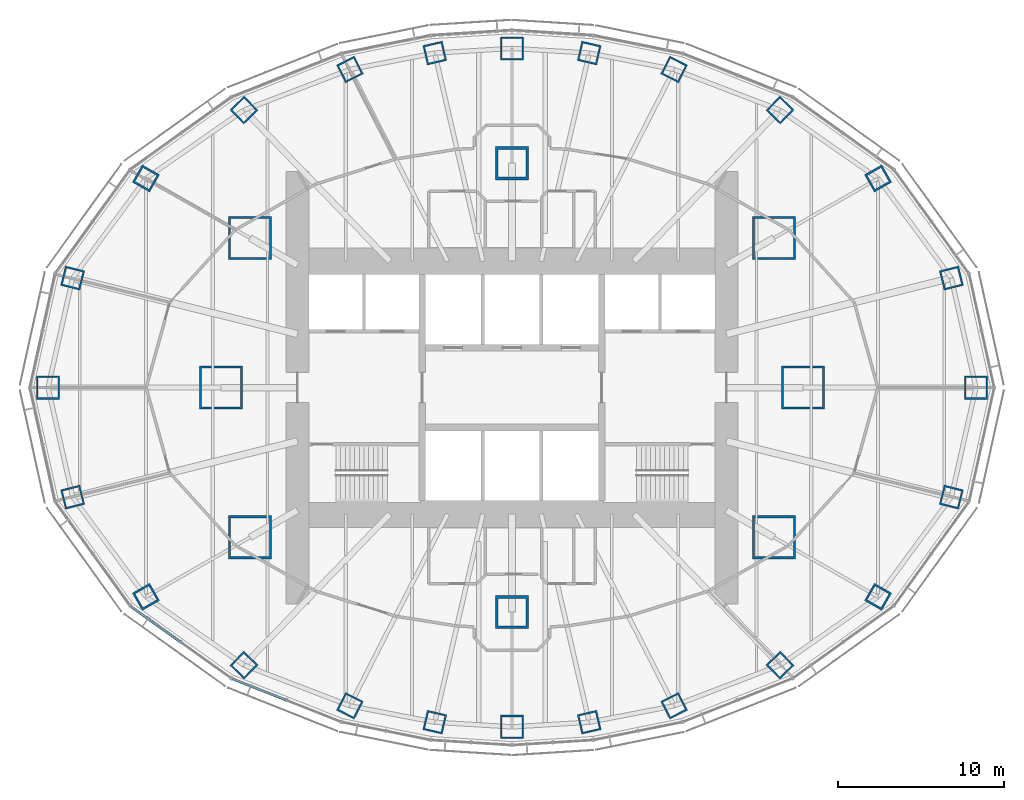
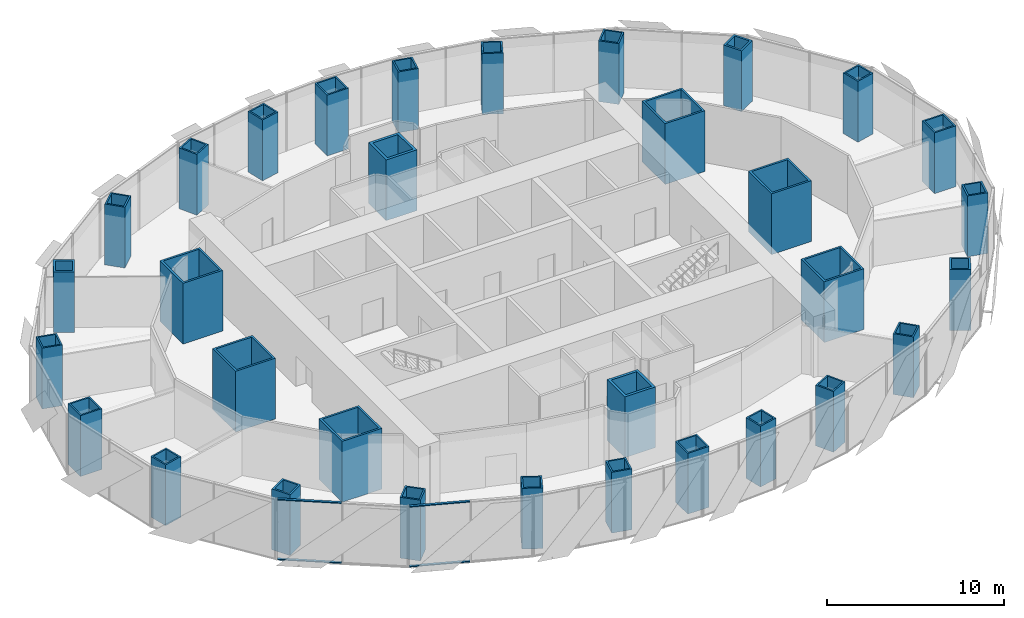
# One storey, part 1 of 17: 32 columns, 4 members, 2 elements without a shape of their own.
"""IFC4 building model written with IfcOpenShell, lengths in metres."""

from ifc_helpers import new_model, si_unit, direction, frame, origin, origin_2d, place, context, subcontext, project, spatial, rectangle, hollow_rectangle, extrude, material, material_profile, profile_set, type_object, element, aggregate, save


model = new_model("IFC4")

# Units and contexts
model_context = context("Model", 3, precision=1e-05, world=origin(), true_north=direction((0.0, 1.0)))
body_context = subcontext(model_context, "Body", "Model", "MODEL_VIEW")
ifc_project = project(units=[si_unit("LENGTHUNIT", "METRE"), si_unit("AREAUNIT", "SQUARE_METRE"), si_unit("VOLUMEUNIT", "CUBIC_METRE"), si_unit("PLANEANGLEUNIT", "RADIAN"), si_unit("MASSUNIT", "GRAM", prefix="KILO")], contexts=[model_context])

# Site, building, storey
site_placement = place(None, origin())
site = spatial("IfcSite", under=ifc_project, at=site_placement, CompositionType="ELEMENT")
building_placement = place(site_placement, origin())
building = spatial("IfcBuilding", under=site, at=building_placement, Name="Lantaw Convention Tower", CompositionType="ELEMENT")
storey_placement = place(building_placement, frame((0.0, 0.0, 121.60009765625)))
storey = spatial("IfcBuildingStorey", under=building, at=storey_placement, Name="L28", CompositionType="ELEMENT", Elevation=121.60009765625)

# Columns
ifc_material_1 = material(Name="Steel EN 10025-3 S460N", Category="steel")
ifc_material_profile_1 = material_profile(ifc_material_1, hollow_rectangle(XDim=2.0, YDim=2.0, WallThickness=0.169921875, at=origin_2d()), Name="BOX2000X170")
ifc_material_2 = material(Name="Concrete C60/75", Category="concrete")
ifc_material_profile_2 = material_profile(ifc_material_2, rectangle(XDim=1.659912109375, YDim=1.659912109375, at=origin_2d()), Name="Concrete fill of BOX2000X170")
ifc_profile_set_1 = profile_set([ifc_material_profile_1, ifc_material_profile_2], Name="Steel EN 10025-3 S460N")
column_type_1 = type_object("IfcColumnType", Name="Column MC BOX2000X170", PredefinedType="COLUMN", material=ifc_profile_set_1)
for number, where, z_axis, x_axis, name in (
    (1, (0.0, 13.5, 0.0), (0.0, 0.0, 1.0), (1.0, 0.0, 0.0), "Mega column M3"),
    (2, (0.0, -13.5, 0.0), (0.0, 0.0, 1.0), (1.0, 0.0, 0.0), "Mega column M7"),
):
    element("IfcColumn", number, at=place(storey_placement, frame(where, z_axis=z_axis, x_axis=x_axis)), inside=storey, type_object=column_type_1, Name=name, PredefinedType="COLUMN", context=body_context, shape_type="SweptSolid", body=[
        extrude(hollow_rectangle(XDim=2.0, YDim=2.0, WallThickness=0.169921875, at=origin_2d()), origin(), (0.0, 0.0, 1.0), 4.199951171875),
    ])
ifc_material_profile_3 = material_profile(ifc_material_1, hollow_rectangle(XDim=2.60009765625, YDim=2.60009765625, WallThickness=0.1298828125, at=origin_2d()), Name="BOX2600X130")
ifc_material_profile_4 = material_profile(ifc_material_2, rectangle(XDim=2.340087890625, YDim=2.340087890625, at=origin_2d()), Name="Concrete fill of BOX2600X130")
ifc_profile_set_2 = profile_set([ifc_material_profile_3, ifc_material_profile_4], Name="Steel EN 10025-3 S460N")
column_type_2 = type_object("IfcColumnType", Name="Column MC BOX2600X130", PredefinedType="COLUMN", material=ifc_profile_set_2)
for number, where, z_axis, x_axis, name in (
    (3, (17.5, 0.0, 0.0), (0.0, 0.0, 1.0), (1.0, 0.0, 0.0), "Mega column M1"),
    (4, (15.75, 9.0, 0.0), (0.0, 0.0, 1.0), (1.0, 0.0, 0.0), "Mega column M2"),
    (5, (-15.75, 9.0, 0.0), (0.0, 0.0, 1.0), (1.0, 0.0, 0.0), "Mega column M4"),
    (6, (-17.5, 0.0, 0.0), (0.0, 0.0, 1.0), (1.0, 0.0, 0.0), "Mega column M5"),
    (7, (-15.75, -9.0, 0.0), (0.0, 0.0, 1.0), (1.0, 0.0, 0.0), "Mega column M6"),
    (8, (15.75, -9.0, 0.0), (0.0, 0.0, 1.0), (1.0, 0.0, 0.0), "Mega column M8"),
):
    element("IfcColumn", number, at=place(storey_placement, frame(where, z_axis=z_axis, x_axis=x_axis)), inside=storey, type_object=column_type_2, Name=name, PredefinedType="COLUMN", context=body_context, shape_type="SweptSolid", body=[
        extrude(hollow_rectangle(XDim=2.60009765625, YDim=2.60009765625, WallThickness=0.1298828125, at=origin_2d()), origin(), (0.0, 0.0, 1.0), 4.199951171875),
    ])
ifc_material_profile_5 = material_profile(ifc_material_1, hollow_rectangle(XDim=1.199951171875, YDim=1.199951171875, WallThickness=0.10009765625, at=origin_2d()), Name="BOX1200X100")
ifc_material_profile_6 = material_profile(ifc_material_2, rectangle(XDim=1.0, YDim=1.0, at=origin_2d()), Name="Concrete fill of BOX1200X100")
ifc_profile_set_3 = profile_set([ifc_material_profile_5, ifc_material_profile_6], Name="Steel EN 10025-3 S460N")
column_type_3 = type_object("IfcColumnType", Name="Column PC BOX1200X100", PredefinedType="COLUMN", material=ifc_profile_set_3)
for number, where, z_axis, x_axis, name in (
    (9, (26.419921875, 6.587158203125, 0.0), (0.0, 0.0, 1.0), (0.970295726276, 0.2419218956, 0.0), "Perimeter column P2"),
    (10, (16.11767578125, 16.690185546875, 0.0), (0.0, 0.0, 1.0), (0.694658370459, 0.719339800339, 0.0), "Perimeter column P4"),
    (11, (9.74853515625, 19.1328125, 0.0), (0.0, 0.0, 1.0), (0.45399049974, 0.891006524188, 0.0), "Perimeter column P5"),
    (12, (4.64501953125, 20.1201171875, 0.0), (0.0, 0.0, 1.0), (0.224951054344, 0.974370064785, 0.0), "Perimeter column P6"),
    (13, (-4.64501953125, 20.1201171875, 0.0), (0.0, 0.0, 1.0), (0.974370064785, 0.224951054344, 0.0), "Perimeter column P8"),
    (14, (-9.74853515625, 19.1328125, 0.0), (0.0, 0.0, 1.0), (0.891006524188, 0.45399049974, 0.0), "Perimeter column P9"),
    (15, (-16.11767578125, 16.690185546875, 0.0), (0.0, 0.0, 1.0), (0.719339800339, 0.694658370459, 0.0), "Perimeter column P10"),
    (16, (-26.419921875, 6.587158203125, 0.0), (0.0, 0.0, 1.0), (0.2419218956, 0.970295726276, 0.0), "Perimeter column P12"),
    (17, (-26.419921875, -6.587158203125, 0.0), (0.0, 0.0, 1.0), (0.970295726276, 0.2419218956, 0.0), "Perimeter column P14"),
    (18, (-16.11767578125, -16.690185546875, 0.0), (0.0, 0.0, 1.0), (0.694658370459, 0.719339800339, 0.0), "Perimeter column P16"),
    (19, (-9.74853515625, -19.1328125, 0.0), (0.0, 0.0, 1.0), (0.45399049974, 0.891006524188, 0.0), "Perimeter column P17"),
    (20, (-4.64501953125, -20.1201171875, 0.0), (0.0, 0.0, 1.0), (0.224951054344, 0.974370064785, 0.0), "Perimeter column P18"),
    (21, (4.64501953125, -20.1201171875, 0.0), (0.0, 0.0, 1.0), (0.974370064785, 0.224951054344, 0.0), "Perimeter column P20"),
    (22, (9.74853515625, -19.1328125, 0.0), (0.0, 0.0, 1.0), (0.891006524188, 0.45399049974, 0.0), "Perimeter column P21"),
    (23, (16.11767578125, -16.690185546875, 0.0), (0.0, 0.0, 1.0), (0.719339800339, 0.694658370459, 0.0), "Perimeter column P22"),
    (24, (26.419921875, -6.587158203125, 0.0), (0.0, 0.0, 1.0), (0.2419218956, 0.970295726276, 0.0), "Perimeter column P24"),
):
    element("IfcColumn", number, at=place(storey_placement, frame(where, z_axis=z_axis, x_axis=x_axis)), inside=storey, type_object=column_type_3, Name=name, PredefinedType="COLUMN", context=body_context, shape_type="SweptSolid", body=[
        extrude(hollow_rectangle(XDim=1.199951171875, YDim=1.199951171875, WallThickness=0.10009765625, at=origin_2d()), origin(), (0.0, 0.0, 1.0), 4.199951171875),
    ])
ifc_material_profile_7 = material_profile(ifc_material_1, hollow_rectangle(XDim=1.199951171875, YDim=1.199951171875, WallThickness=0.1201171875, at=origin_2d()), Name="BOX1200X120")
ifc_material_profile_8 = material_profile(ifc_material_2, rectangle(XDim=0.9599609375, YDim=0.9599609375, at=origin_2d()), Name="Concrete fill of BOX1200X120")
ifc_profile_set_4 = profile_set([ifc_material_profile_7, ifc_material_profile_8], Name="Steel EN 10025-3 S460N")
column_type_4 = type_object("IfcColumnType", Name="Column PC BOX1200X120", PredefinedType="COLUMN", material=ifc_profile_set_4)
for number, where, z_axis, x_axis, name in (
    (25, (22.013916015625, 12.579345703125, 0.0), (0.0, 0.0, 1.0), (0.86824298017, 0.496139221777, 0.0), "Perimeter column P3"),
    (26, (-22.013916015625, 12.579345703125, 0.0), (0.0, 0.0, 1.0), (0.496139221777, 0.86824298017, 0.0), "Perimeter column P11"),
    (27, (-22.013916015625, -12.579345703125, 0.0), (0.0, 0.0, 1.0), (0.86824298017, 0.496139221777, 0.0), "Perimeter column P15"),
    (28, (22.013916015625, -12.579345703125, 0.0), (0.0, 0.0, 1.0), (0.496139221777, 0.86824298017, 0.0), "Perimeter column P23"),
):
    element("IfcColumn", number, at=place(storey_placement, frame(where, z_axis=z_axis, x_axis=x_axis)), inside=storey, type_object=column_type_4, Name=name, PredefinedType="COLUMN", context=body_context, shape_type="SweptSolid", body=[
        extrude(hollow_rectangle(XDim=1.199951171875, YDim=1.199951171875, WallThickness=0.1201171875, at=origin_2d()), origin(), (0.0, 0.0, 1.0), 4.199951171875),
    ])
ifc_material_profile_9 = material_profile(ifc_material_1, hollow_rectangle(XDim=1.39990234375, YDim=1.39990234375, WallThickness=0.10009765625, at=origin_2d()), Name="BOX1400X100")
ifc_material_profile_10 = material_profile(ifc_material_2, rectangle(XDim=1.199951171875, YDim=1.199951171875, at=origin_2d()), Name="Concrete fill of BOX1400X100")
ifc_profile_set_5 = profile_set([ifc_material_profile_9, ifc_material_profile_10], Name="Steel EN 10025-3 S460N")
column_type_5 = type_object("IfcColumnType", Name="Column PC BOX1400X100", PredefinedType="COLUMN", material=ifc_profile_set_5)
for number, where, z_axis, x_axis, name in (
    (29, (27.89990234375, 0.0, 0.0), (0.0, 0.0, 1.0), (1.0, 0.0, 0.0), "Perimeter column P1"),
    (30, (0.0, 20.39990234375, 0.0), (0.0, 0.0, 1.0), (1.0, 0.0, 0.0), "Perimeter column P7"),
    (31, (-27.89990234375, 0.0, 0.0), (0.0, 0.0, 1.0), (1.0, 0.0, 0.0), "Perimeter column P13"),
    (32, (0.0, -20.39990234375, 0.0), (0.0, 0.0, 1.0), (1.0, 0.0, 0.0), "Perimeter column P19"),
):
    element("IfcColumn", number, at=place(storey_placement, frame(where, z_axis=z_axis, x_axis=x_axis)), inside=storey, type_object=column_type_5, Name=name, PredefinedType="COLUMN", context=body_context, shape_type="SweptSolid", body=[
        extrude(hollow_rectangle(XDim=1.39990234375, YDim=1.39990234375, WallThickness=0.10009765625, at=origin_2d()), origin(), (0.0, 0.0, 1.0), 4.199951171875),
    ])

# Curtain wall, members
ifc_material_3 = material(Name="Aluminium framed curtain wall", Category="aluminium")
curtain_wall_type = type_object("IfcCurtainWallType", Name="Office curtain wall low rise, pale aluminium", PredefinedType="USERDEFINED", material=ifc_material_3)
curtain_wall_1_placement = place(storey_placement, origin())
curtain_wall_1 = element("IfcCurtainWall", 33, at=curtain_wall_1_placement, inside=storey, type_object=curtain_wall_type, Name="Office curtain wall low rise, pale aluminium L28", ObjectType="UNITISED CURTAIN WALL", PredefinedType="USERDEFINED")
ifc_material_4 = material(Name="Aluminium 6063-T6", Category="aluminium")
ifc_material_profile_11 = material_profile(ifc_material_4, rectangle(XDim=0.159912109375, YDim=0.06494140625, at=origin_2d()), Name="CW-O1 transom 65x160")
ifc_profile_set_6 = profile_set([ifc_material_profile_11], Name="Aluminium 6063-T6")
member_type = type_object("IfcMemberType", Name="CW-O1 transom 65x160", PredefinedType="USERDEFINED", material=ifc_profile_set_6)
member_1_placement = place(storey_placement, frame((-22.916259765625, -13.1630859375, -0.11767578125), z_axis=(0.813221785972, -0.581953887194, 0.0), x_axis=(0.581953887194, 0.813221785972, 0.0)))
member_1 = element("IfcMember", 34, at=member_1_placement, type_object=member_type, Name="CW-O1 transom 1.1", ObjectType="TRANSOM", PredefinedType="USERDEFINED", context=body_context, shape_type="SweptSolid", body=[
    extrude(rectangle(XDim=0.159912109375, YDim=0.06494140625, at=origin_2d()), origin(), (0.0, 0.0, 1.0), 3.645263671875),
])
member_2_placement = place(storey_placement, frame((-22.916259765625, -13.1630859375, 4.017333984375), z_axis=(0.813221785972, -0.581953887194, 0.0), x_axis=(0.581953887194, 0.813221785972, 0.0)))
member_2 = element("IfcMember", 35, at=member_2_placement, type_object=member_type, Name="CW-O1 transom 1.2", ObjectType="TRANSOM", PredefinedType="USERDEFINED", context=body_context, shape_type="SweptSolid", body=[
    extrude(rectangle(XDim=0.159912109375, YDim=0.06494140625, at=origin_2d()), origin(), (0.0, 0.0, 1.0), 3.645263671875),
])
aggregate(curtain_wall_1, [member_1, member_2])

curtain_wall_2_placement = place(storey_placement, origin())
curtain_wall_2 = element("IfcCurtainWall", 36, at=curtain_wall_2_placement, inside=storey, type_object=curtain_wall_type, Name="Office curtain wall low rise, pale aluminium L28", ObjectType="UNITISED CURTAIN WALL", PredefinedType="USERDEFINED")
member_3_placement = place(storey_placement, frame((-16.8212890625, -17.505615234375, -0.11767578125), z_axis=(0.929564188507, -0.368660303592, 0.0), x_axis=(0.368660303592, 0.929564188507, 0.0)))
member_3 = element("IfcMember", 37, at=member_3_placement, type_object=member_type, Name="CW-O1 transom 1.1", ObjectType="TRANSOM", PredefinedType="USERDEFINED", context=body_context, shape_type="SweptSolid", body=[
    extrude(rectangle(XDim=0.159912109375, YDim=0.06494140625, at=origin_2d()), origin(), (0.0, 0.0, 1.0), 3.470703125),
])
member_4_placement = place(storey_placement, frame((-16.8212890625, -17.505615234375, 4.017333984375), z_axis=(0.929564188507, -0.368660303592, 0.0), x_axis=(0.368660303592, 0.929564188507, 0.0)))
member_4 = element("IfcMember", 38, at=member_4_placement, type_object=member_type, Name="CW-O1 transom 1.2", ObjectType="TRANSOM", PredefinedType="USERDEFINED", context=body_context, shape_type="SweptSolid", body=[
    extrude(rectangle(XDim=0.159912109375, YDim=0.06494140625, at=origin_2d()), origin(), (0.0, 0.0, 1.0), 3.470703125),
])
aggregate(curtain_wall_2, [member_3, member_4])

save(model, "model.ifc")
